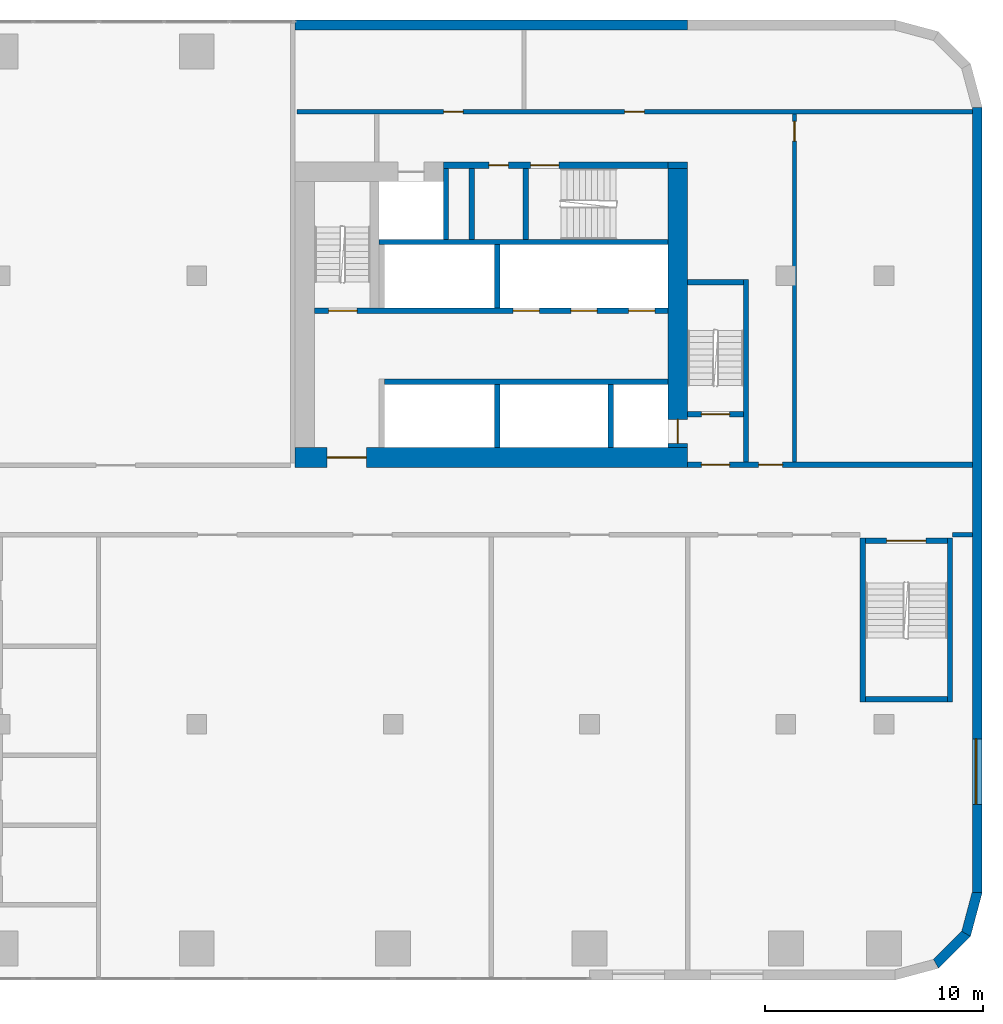
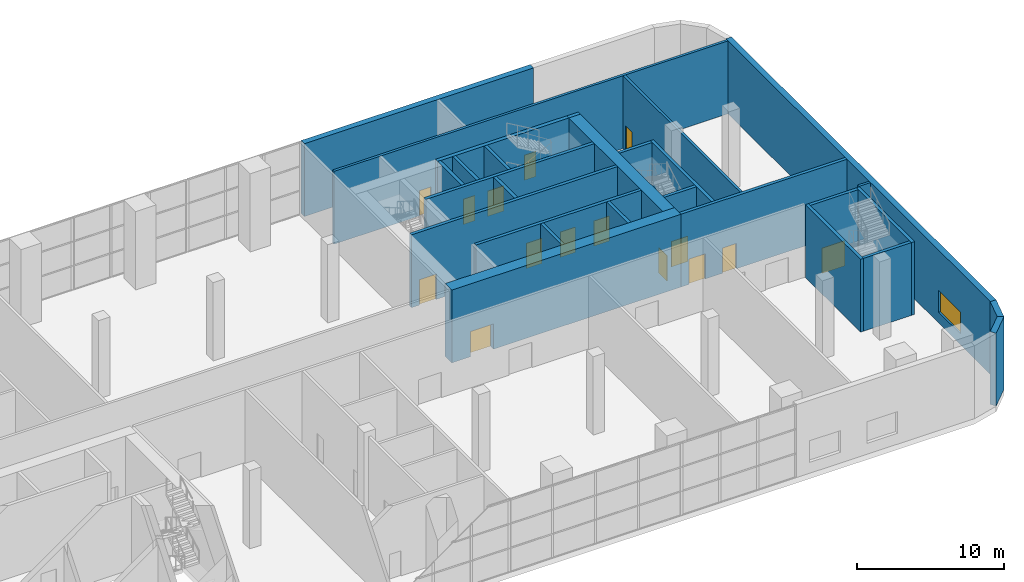
# One storey, part 12 of 24: 28 walls, 15 doors, 1 window, 16 openings.
"""IFC4 building model written with IfcOpenShell, lengths in metres."""

import ifcopenshell
import ifcopenshell.guid

model = None  # the IFC model being written
_history = None  # IfcOwnerHistory: only IFC2X3 demands one
_inside = {}  # id of a spatial element -> (the spatial element, [elements in it])
_under = {}  # id of a project, library or spatial element -> (it, [spatial elements below it])
_declared = {}  # id of a project -> (the project, [libraries it declares])
_typed = {}  # id of a type object -> (the type object, [elements of that type])
_made_of = {}  # id of a material, layer set ... -> (it, [elements and type objects made of it])


def new_model(schema):
    """Start an empty IFC model of exactly this schema.

    Asked for "IFC4X3", IfcOpenShell would pick the latest addendum, in which some entities
    have other attributes; the version numbers below select the first issue.
    IFC2X3 requires an IfcOwnerHistory on every rooted entity: one is made here for all.
    """
    global model, _history
    if schema == "IFC4X3":
        model = ifcopenshell.file(schema_version=(4, 3, 0, 0))
    else:
        model = ifcopenshell.file(schema=schema)
    _inside.clear()
    _under.clear()
    _declared.clear()
    _typed.clear()
    _made_of.clear()
    _history = None
    if model.schema == "IFC2X3":
        org = make("IfcOrganization", Name="unknown")
        user = make(
            "IfcPersonAndOrganization",
            ThePerson=make("IfcPerson", FamilyName="unknown"),
            TheOrganization=org,
        )
        app = make(
            "IfcApplication",
            ApplicationDeveloper=org,
            Version="unknown",
            ApplicationFullName="unknown",
            ApplicationIdentifier="unknown",
        )
        _history = make(
            "IfcOwnerHistory",
            OwningUser=user,
            OwningApplication=app,
            ChangeAction="ADDED",
            CreationDate=0,
        )
    return model


def make(cls, **values):
    """One entity of the class cls with the attributes given. An attribute that is None is left unset."""
    return model.create_entity(
        cls, **{name: value for name, value in values.items() if value is not None}
    )


def rooted(cls, **values):
    """An entity with a GlobalId (a new one), such as an element, a storey or a relation."""
    return make(cls, GlobalId=ifcopenshell.guid.new(), OwnerHistory=_history, **values)


def si_unit(unit_type, name, prefix=None):
    """IfcSIUnit, for example si_unit("LENGTHUNIT", "METRE", prefix="MILLI")."""
    return make("IfcSIUnit", UnitType=unit_type, Prefix=prefix, Name=name)


def assignment(units):
    """IfcUnitAssignment: the units of a project."""
    return None if units is None else make("IfcUnitAssignment", Units=units)


def point(xyz):
    """IfcCartesianPoint."""
    return None if xyz is None else make("IfcCartesianPoint", Coordinates=xyz)


def direction(xyz):
    """IfcDirection."""
    return None if xyz is None else make("IfcDirection", DirectionRatios=xyz)


def frame(location, z_axis=None, x_axis=None):
    """IfcAxis2Placement3D, a coordinate frame: its origin and axes. An axis left out is left unset."""
    return make(
        "IfcAxis2Placement3D",
        Location=point(location),
        Axis=direction(z_axis),
        RefDirection=direction(x_axis),
    )


def frame_2d(location, x_axis=None):
    """IfcAxis2Placement2D, a coordinate frame in the plane: its origin and x axis."""
    return make(
        "IfcAxis2Placement2D", Location=point(location), RefDirection=direction(x_axis)
    )


def origin():
    """The frame at (0, 0, 0) with its axes left unset."""
    return frame((0.0, 0.0, 0.0))


def place(relative_to, where):
    """IfcLocalPlacement: puts the frame where relative to a parent placement (None: the world)."""
    return make(
        "IfcLocalPlacement", PlacementRelTo=relative_to, RelativePlacement=where
    )


def context(
    kind, dimensions, precision=None, world=None, true_north=None, identifier=None
):
    """IfcGeometricRepresentationContext, for example the 3D "Model" context."""
    return make(
        "IfcGeometricRepresentationContext",
        ContextIdentifier=identifier,
        ContextType=kind,
        CoordinateSpaceDimension=dimensions,
        Precision=precision,
        WorldCoordinateSystem=world,
        TrueNorth=true_north,
    )


def subcontext(parent, identifier, kind, view, scale=None):
    """IfcGeometricRepresentationSubContext, for example "Body" below "Model"."""
    return make(
        "IfcGeometricRepresentationSubContext",
        ContextIdentifier=identifier,
        ContextType=kind,
        ParentContext=parent,
        TargetScale=scale,
        TargetView=view,
    )


def project(units=None, contexts=None):
    """IfcProject with its units and contexts."""
    return rooted(
        "IfcProject",
        Name="project",
        RepresentationContexts=contexts,
        UnitsInContext=assignment(units),
    )


def spatial(cls, under=None, at=None, **own):
    """A site, building, storey or space (cls), placed at a placement, below another one or the project."""
    s = rooted(cls, ObjectPlacement=at, **own)
    if under is not None:
        _under.setdefault(under.id(), (under, []))[1].append(s)
    return s


def polyline(points):
    """IfcPolyline through the points."""
    return make("IfcPolyline", Points=[point(p) for p in points])


def profile(cls, at=None, kind="AREA", **sizes):
    """A parametric profile (cls). Its sizes go by their IFC names, for example OverallWidth=200.0."""
    return make(cls, ProfileType=kind, Position=at, **sizes)


def rectangle(**sizes):
    """IfcRectangleProfileDef."""
    return profile("IfcRectangleProfileDef", **sizes)


def outline(outer, holes=None, kind="AREA"):
    """IfcArbitraryClosedProfileDef: a profile drawn as a closed curve; with holes, ...WithVoids."""
    if holes is None:
        return make("IfcArbitraryClosedProfileDef", ProfileType=kind, OuterCurve=outer)
    return make(
        "IfcArbitraryProfileDefWithVoids",
        ProfileType=kind,
        OuterCurve=outer,
        InnerCurves=holes,
    )


def extrude(swept, where, along, depth):
    """IfcExtrudedAreaSolid: the profile swept, set in the frame where, extruded along a direction by depth."""
    return make(
        "IfcExtrudedAreaSolid",
        SweptArea=swept,
        Position=where,
        ExtrudedDirection=direction(along),
        Depth=depth,
    )


def shape(context_of_items, identifier, shape_type, items):
    """IfcShapeRepresentation: the items that make up one representation, for example the "Body"."""
    return make(
        "IfcShapeRepresentation",
        ContextOfItems=context_of_items,
        RepresentationIdentifier=identifier,
        RepresentationType=shape_type,
        Items=items,
    )


def material(Name=None, Category=None):
    """IfcMaterial."""
    return make("IfcMaterial", Name=Name, Category=Category)


def layer(
    of_material, thickness, ventilated=None, Name=None, Category=None, Priority=None
):
    """IfcMaterialLayer: one layer of a wall or slab, of a material (None: an air gap)."""
    return make(
        "IfcMaterialLayer",
        Material=of_material,
        LayerThickness=thickness,
        IsVentilated=ventilated,
        Name=Name,
        Category=Category,
        Priority=Priority,
    )


def layer_set(layers, Name=None):
    """IfcMaterialLayerSet."""
    return make("IfcMaterialLayerSet", MaterialLayers=layers, LayerSetName=Name)


def made_of(thing, what):
    """Note that an element or type object is made of a material, layer set ...; save() writes the relation."""
    if what is not None:
        _made_of.setdefault(what.id(), (what, []))[1].append(thing)
    return thing


def type_object(cls, material=None, **own):
    """A type object (cls), such as IfcWallType, which elements share."""
    return made_of(rooted(cls, **own), material)


def element(
    cls,
    number,
    at=None,
    inside=None,
    cuts=None,
    type_object=None,
    material=None,
    context=None,
    identifier="Body",
    shape_type=None,
    held_by="IfcProductDefinitionShape",
    body=None,
    shapes=None,
    **own,
):
    """One element of the class cls, such as IfcWall. Its Tag is "e" and its number.

    at: its placement. inside: the storey or other place that contains it. cuts: it is an
    opening in that element (IfcRelVoidsElement). A single representation is given by context,
    identifier, shape_type and body (its items); several are given by shapes. held_by: the class
    of the entity that holds the representations. save() writes the other relations.
    """
    e = rooted(cls, Tag="e%d" % number, ObjectPlacement=at, **own)
    if body is not None:
        shapes = [shape(context, identifier, shape_type, body)]
    if shapes is not None:
        e.Representation = make(held_by, Representations=shapes)
    if inside is not None:
        _inside.setdefault(inside.id(), (inside, []))[1].append(e)
    if cuts is not None:
        rooted(
            "IfcRelVoidsElement", RelatingBuildingElement=cuts, RelatedOpeningElement=e
        )
    if type_object is not None:
        _typed.setdefault(type_object.id(), (type_object, []))[1].append(e)
    return made_of(e, material)


def fill(opening, filler):
    """IfcRelFillsElement: the door or window that sits in an opening."""
    return rooted(
        "IfcRelFillsElement",
        RelatingOpeningElement=opening,
        RelatedBuildingElement=filler,
    )


def aggregate(whole, parts):
    """IfcRelAggregates: a whole, such as a stair, and the parts it consists of."""
    return rooted("IfcRelAggregates", RelatingObject=whole, RelatedObjects=parts)


def save(model, path):
    """Write the relations noted so far, then the file.

    IfcRelAggregates (storeys below a building ...), IfcRelContainedInSpatialStructure (elements
    in a storey), IfcRelDefinesByType, IfcRelAssociatesMaterial and IfcRelDeclares: one each for
    every whole, place, type object, material and project.
    """
    for whole, parts in _under.values():
        aggregate(whole, parts)
    for where, things in _inside.values():
        rooted(
            "IfcRelContainedInSpatialStructure",
            RelatedElements=things,
            RelatingStructure=where,
        )
    for kind, things in _typed.values():
        rooted("IfcRelDefinesByType", RelatedObjects=things, RelatingType=kind)
    for what, things in _made_of.values():
        rooted("IfcRelAssociatesMaterial", RelatedObjects=things, RelatingMaterial=what)
    for by, libraries in _declared.values():
        rooted("IfcRelDeclares", RelatingContext=by, RelatedDefinitions=libraries)
    model.write(path)


model = new_model("IFC4")

# Units and contexts
model_context = context("Model", 3, precision=1e-05, world=origin(), true_north=direction((0.0, 1.0)))
body_context = subcontext(model_context, "Body", "Model", "MODEL_VIEW")
ifc_project = project(units=[si_unit("LENGTHUNIT", "METRE"), si_unit("AREAUNIT", "SQUARE_METRE"), si_unit("VOLUMEUNIT", "CUBIC_METRE"), si_unit("PLANEANGLEUNIT", "RADIAN"), si_unit("MASSUNIT", "GRAM", prefix="KILO")], contexts=[model_context])

# Site, building, storey
site_placement = place(None, origin())
site = spatial("IfcSite", under=ifc_project, at=site_placement, CompositionType="ELEMENT")
building_placement = place(site_placement, origin())
building = spatial("IfcBuilding", under=site, at=building_placement, Name="Kajstack Hotel Tower", CompositionType="ELEMENT")
storey_placement = place(building_placement, frame((0.0, 0.0, 17.0)))
storey = spatial("IfcBuildingStorey", under=building, at=storey_placement, Name="L02", CompositionType="ELEMENT", Elevation=17.0)

# Wall, opening, door
ifc_material_1 = material(Name="Concrete C60/75", Category="concrete")
ifc_layer_1 = layer(ifc_material_1, 0.89990234375)
ifc_layer_set_1 = layer_set([ifc_layer_1], Name="Core wall 900")
wall_type_1 = type_object("IfcWallType", Name="Core wall 900", PredefinedType="SHEAR", material=ifc_layer_set_1)
wall_1_placement = place(storey_placement, frame((13.5, 1.949951171875, 0.0), z_axis=(0.0, 0.0, 1.0), x_axis=(1.0, 0.0, 0.0)))
wall_1 = element("IfcWall", 1, at=wall_1_placement, inside=storey, type_object=wall_type_1, Name="Core wall E RN", PredefinedType="SHEAR", context=body_context, shape_type="SweptSolid", body=[
    extrude(rectangle(XDim=18.0, YDim=0.89990234375, at=frame_2d((9.0, 0.0))), origin(), (0.0, 0.0, 1.0), 6.050048828125),
])
opening_1_placement = place(wall_1_placement, frame((1.47509765625, 0.0, 0.0)))
opening_1 = element("IfcOpeningElement", 2, at=opening_1_placement, cuts=wall_1, Name="Opening 02E06", PredefinedType="OPENING", context=body_context, shape_type="SweptSolid", body=[
    extrude(rectangle(XDim=1.800048828125, YDim=2.10009765625, at=frame_2d((0.89990234375, 1.050048828125))), frame((0.0, 0.4599609375, 0.0), z_axis=(0.0, -1.0, 0.0), x_axis=(1.0, 0.0, 0.0)), (0.0, 0.0, 1.0), 0.919921875),
])
ifc_material_2 = material(Name="Glazed steel frame, fire-rated glass", Category="steel")
door_type_1 = type_object("IfcDoorType", Name="Lobby double door 1800", OperationType="DOUBLE_DOOR_DOUBLE_SWING", PredefinedType="DOOR", material=ifc_material_2)
door_1_placement = place(opening_1_placement, origin())
door_1 = element("IfcDoor", 3, at=door_1_placement, inside=storey, type_object=door_type_1, Name="Door 02E06", OperationType="DOUBLE_DOOR_DOUBLE_SWING", OverallHeight=2.10009765625, OverallWidth=1.800048828125, PredefinedType="DOOR", context=body_context, shape_type="SweptSolid", body=[
    extrude(rectangle(XDim=1.800048828125, YDim=2.10009765625, at=frame_2d((0.89990234375, 1.050048828125))), frame((0.0, 0.02490234375, 0.0), z_axis=(0.0, -1.0, 0.0), x_axis=(1.0, 0.0, 0.0)), (0.0, 0.0, 1.0), 0.050048828125),
])
fill(opening_1, door_1)

# Wall
wall_2_placement = place(storey_placement, frame((30.60009765625, 15.35009765625, 0.0), z_axis=(0.0, 0.0, 1.0), x_axis=(1.0, 0.0, 0.0)))
element("IfcWall", 4, at=wall_2_placement, inside=storey, type_object=wall_type_1, Name="Core wall E RSW", PredefinedType="SHEAR", context=body_context, shape_type="SweptSolid", body=[
    extrude(rectangle(XDim=0.89990234375, YDim=0.300048828125, at=frame_2d((0.449951171875, 0.0))), origin(), (0.0, 0.0, 1.0), 6.050048828125),
])

# Wall, opening, door
wall_3_placement = place(storey_placement, frame((31.050048828125, 2.39990234375, 0.0), z_axis=(0.0, 0.0, 1.0), x_axis=(0.0, 1.0, 0.0)))
wall_3 = element("IfcWall", 5, at=wall_3_placement, inside=storey, type_object=wall_type_1, Name="Core wall E RW", PredefinedType="SHEAR", context=body_context, shape_type="SweptSolid", body=[
    extrude(rectangle(XDim=12.800048828125, YDim=0.89990234375, at=frame_2d((6.39990234375, 0.0))), origin(), (0.0, 0.0, 1.0), 6.050048828125),
])
opening_2_placement = place(wall_3_placement, frame((0.199951171875, 0.0, 0.0)))
opening_2 = element("IfcOpeningElement", 6, at=opening_2_placement, cuts=wall_3, Name="Opening LD-FF2", PredefinedType="OPENING", context=body_context, shape_type="SweptSolid", body=[
    extrude(rectangle(XDim=1.10009765625, YDim=2.10009765625, at=frame_2d((0.550048828125, 1.050048828125))), frame((0.0, 0.4599609375, 0.0), z_axis=(0.0, -1.0, 0.0), x_axis=(1.0, 0.0, 0.0)), (0.0, 0.0, 1.0), 0.919921875),
])
ifc_material_3 = material(Name="Stainless steel", Category="steel")
door_type_2 = type_object("IfcDoorType", Name="Fire-fighting lift landing door 1100", OperationType="SLIDING_TO_LEFT", PredefinedType="DOOR", material=ifc_material_3)
door_2_placement = place(opening_2_placement, origin())
door_2 = element("IfcDoor", 7, at=door_2_placement, inside=storey, type_object=door_type_2, Name="Landing door FF2", OperationType="SLIDING_TO_LEFT", OverallHeight=2.10009765625, OverallWidth=1.10009765625, PredefinedType="DOOR", context=body_context, shape_type="SweptSolid", body=[
    extrude(rectangle(XDim=1.10009765625, YDim=2.10009765625, at=frame_2d((0.550048828125, 1.050048828125))), frame((0.0, 0.02490234375, 0.0), z_axis=(0.0, -1.0, 0.0), x_axis=(1.0, 0.0, 0.0)), (0.0, 0.0, 1.0), 0.050048828125),
])
fill(opening_2, door_2)

# Walls
ifc_material_4 = material(Name="Concrete C40/50", Category="concrete")
ifc_layer_2 = layer(ifc_material_4, 0.449951171875)
ifc_layer_set_2 = layer_set([ifc_layer_2], Name="EW-CORE")
wall_type_2 = type_object("IfcWallType", Name="EW-CORE", PredefinedType="SOLIDWALL", material=ifc_layer_set_2)
wall_4_placement = place(storey_placement, frame((31.5, 21.77490234375, 0.0), z_axis=(0.0, 0.0, 1.0), x_axis=(-1.0, 0.0, 0.0)))
element("IfcWall", 8, at=wall_4_placement, inside=storey, type_object=wall_type_2, Name="E-wall-L02-11-01", PredefinedType="SOLIDWALL", context=body_context, shape_type="SweptSolid", body=[
    extrude(rectangle(XDim=18.0, YDim=0.449951171875, at=frame_2d((9.0, 0.0))), origin(), (0.0, 0.0, 1.0), 6.050048828125),
])
ifc_material_5 = material(Name="Terracotta-faced brick masonry", Category="masonry")
ifc_layer_3 = layer(ifc_material_5, 0.449951171875)
ifc_layer_set_3 = layer_set([ifc_layer_3], Name="EW-TERRA")
wall_type_3 = type_object("IfcWallType", Name="EW-TERRA", PredefinedType="SOLIDWALL", material=ifc_layer_set_3)
wall_5_placement = place(storey_placement, frame((42.8408203125, -21.304931640625, 0.0), z_axis=(0.0, 0.0, 1.0), x_axis=(0.707106781187, 0.707106781187, 0.0)))
element("IfcWall", 9, at=wall_5_placement, inside=storey, type_object=wall_type_3, Name="E-wall-L02-05-00", PredefinedType="SOLIDWALL", context=body_context, shape_type="SweptSolid", body=[
    extrude(outline(polyline([(0.0, -0.22509765625), (2.070556640625, -0.22509765625), (1.949951171875, 0.224853515625), (0.12060546875, 0.224853515625), (0.0, -0.22509765625)])), origin(), (0.0, 0.0, 1.0), 6.050048828125),
])
wall_6_placement = place(storey_placement, frame((44.246826171875, -19.941650390625, 0.0), z_axis=(0.0, 0.0, 1.0), x_axis=(0.25881466832, 0.965926999034, 0.0)))
element("IfcWall", 10, at=wall_6_placement, inside=storey, type_object=wall_type_3, Name="E-wall-L02-06-00", PredefinedType="SOLIDWALL", context=body_context, shape_type="SweptSolid", body=[
    extrude(outline(polyline([(-0.000244140625, -0.224853515625), (2.0703125, -0.22509765625), (1.949951171875, 0.22509765625), (0.120361328125, 0.22509765625), (-0.000244140625, -0.224853515625)])), origin(), (0.0, 0.0, 1.0), 6.050048828125),
])

# Wall, opening, window
wall_7_placement = place(storey_placement, frame((44.77490234375, -18.0, 0.0), z_axis=(0.0, 0.0, 1.0), x_axis=(0.0, 1.0, 0.0)))
wall_7 = element("IfcWall", 11, at=wall_7_placement, inside=storey, type_object=wall_type_3, Name="E-wall-L02-07-00", PredefinedType="SOLIDWALL", context=body_context, shape_type="SweptSolid", body=[
    extrude(rectangle(XDim=36.0, YDim=0.449951171875, at=frame_2d((18.0, 0.0))), origin(), (0.0, 0.0, 1.0), 6.050048828125),
])
opening_3_placement = place(wall_7_placement, frame((4.050048828125, 0.0, 0.89990234375)))
opening_3 = element("IfcOpeningElement", 12, at=opening_3_placement, cuts=wall_7, Name="Opening W5", PredefinedType="OPENING", context=body_context, shape_type="SweptSolid", body=[
    extrude(rectangle(XDim=3.0, YDim=1.800048828125, at=frame_2d((1.5, 0.89990234375))), frame((0.0, 0.23486328125, 0.0), z_axis=(0.0, -1.0, 0.0), x_axis=(1.0, 0.0, 0.0)), (0.0, 0.0, 1.0), 0.469970703125),
])
ifc_material_6 = material(Name="Timber-aluminium window, triple glazed", Category="wood")
window_type = type_object("IfcWindowType", Name="WP2", PartitioningType="SINGLE_PANEL", PredefinedType="WINDOW", material=ifc_material_6)
window_placement = place(opening_3_placement, origin())
window = element("IfcWindow", 13, at=window_placement, inside=storey, type_object=window_type, Name="Window W5 L02-07", OverallHeight=1.800048828125, OverallWidth=3.0, PartitioningType="SINGLE_PANEL", PredefinedType="WINDOW", context=body_context, shape_type="SweptSolid", body=[
    extrude(rectangle(XDim=3.0, YDim=1.800048828125, at=frame_2d((1.5, 0.89990234375))), frame((0.0, 0.090087890625, 0.0), z_axis=(0.0, -1.0, 0.0), x_axis=(1.0, 0.0, 0.0)), (0.0, 0.0, 1.0), 0.06005859375),
])
fill(opening_3, window)

# Walls
ifc_material_7 = material(Name="Concrete C50/60", Category="concrete")
ifc_layer_4 = layer(ifc_material_7, 0.300048828125)
ifc_layer_set_4 = layer_set([ifc_layer_4], Name="Hoistway divider wall 300")
wall_type_4 = type_object("IfcWallType", Name="Hoistway divider wall 300", PredefinedType="SHEAR", material=ifc_layer_set_4)
wall_8_placement = place(storey_placement, frame((22.77490234375, 2.39990234375, 0.0), z_axis=(0.0, 0.0, 1.0), x_axis=(0.0, 1.0, 0.0)))
element("IfcWall", 14, at=wall_8_placement, inside=storey, type_object=wall_type_4, Name="Core wall E AP2", PredefinedType="SHEAR", context=body_context, shape_type="SweptSolid", body=[
    extrude(rectangle(XDim=2.900146484375, YDim=0.25, at=frame_2d((1.4501953125, 0.0))), origin(), (0.0, 0.0, 1.0), 6.050048828125),
])
wall_9_placement = place(storey_placement, frame((22.77490234375, 8.800048828125, 0.0), z_axis=(0.0, 0.0, 1.0), x_axis=(0.0, 1.0, 0.0)))
element("IfcWall", 15, at=wall_9_placement, inside=storey, type_object=wall_type_4, Name="Core wall E BP2", PredefinedType="SHEAR", context=body_context, shape_type="SweptSolid", body=[
    extrude(rectangle(XDim=2.89990234375, YDim=0.25, at=frame_2d((1.449951171875, 0.0))), origin(), (0.0, 0.0, 1.0), 6.050048828125),
])
ifc_material_8 = material(Name="Gypsum board on steel studs, mineral wool", Category="steel")
ifc_layer_5 = layer(ifc_material_8, 0.199951171875)
ifc_layer_set_5 = layer_set([ifc_layer_5], Name="Public partition 200")
wall_type_5 = type_object("IfcWallType", Name="Public partition 200", PredefinedType="PARTITIONING", material=ifc_layer_set_5)
wall_10_placement = place(storey_placement, frame((43.64990234375, -1.60009765625, 0.0), z_axis=(0.0, 0.0, 1.0), x_axis=(1.0, 0.0, 0.0)))
element("IfcWall", 16, at=wall_10_placement, inside=storey, type_object=wall_type_5, Name="Partition SFWW", PredefinedType="PARTITIONING", context=body_context, shape_type="SweptSolid", body=[
    extrude(rectangle(XDim=0.900146484375, YDim=0.199951171875, at=frame_2d((0.4501953125, 0.0))), origin(), (0.0, 0.0, 1.0), 6.050048828125),
])
ifc_material_9 = material(Name="Concrete block masonry", Category="masonry")
ifc_layer_6 = layer(ifc_material_9, 0.25)
ifc_layer_set_6 = layer_set([ifc_layer_6], Name="Riser partition 250")
wall_type_6 = type_object("IfcWallType", Name="Riser partition 250", PredefinedType="PARTITIONING", material=ifc_layer_set_6)
wall_11_placement = place(storey_placement, frame((21.60009765625, 11.949951171875, 0.0), z_axis=(0.0, 0.0, 1.0), x_axis=(0.0, 1.0, 0.0)))
element("IfcWall", 17, at=wall_11_placement, inside=storey, type_object=wall_type_6, Name="Partition E SZ0", PredefinedType="PARTITIONING", context=body_context, shape_type="SweptSolid", body=[
    extrude(rectangle(XDim=3.25, YDim=0.25, at=frame_2d((1.625, 0.0))), origin(), (0.0, 0.0, 1.0), 6.050048828125),
])

# Wall, openings, doors
ifc_layer_7 = layer(ifc_material_8, 0.199951171875)
ifc_layer_set_7 = layer_set([ifc_layer_7], Name="Service partition 200")
wall_type_7 = type_object("IfcWallType", Name="Service partition 200", PredefinedType="PARTITIONING", material=ifc_layer_set_7)
wall_12_placement = place(storey_placement, frame((31.5, 1.625, 0.0), z_axis=(0.0, 0.0, 1.0), x_axis=(1.0, 0.0, 0.0)))
wall_12 = element("IfcWall", 18, at=wall_12_placement, inside=storey, type_object=wall_type_7, Name="Partition E SN", PredefinedType="PARTITIONING", context=body_context, shape_type="SweptSolid", body=[
    extrude(rectangle(XDim=13.050048828125, YDim=0.25, at=frame_2d((6.52490234375, 0.0))), origin(), (0.0, 0.0, 1.0), 6.050048828125),
])
opening_4_placement = place(wall_12_placement, frame((0.625, 0.0, 0.0)))
opening_4 = element("IfcOpeningElement", 19, at=opening_4_placement, cuts=wall_12, Name="Opening 02E07", PredefinedType="OPENING", context=body_context, shape_type="SweptSolid", body=[
    extrude(rectangle(XDim=1.300048828125, YDim=2.10009765625, at=frame_2d((0.64990234375, 1.050048828125))), frame((0.0, 0.135009765625, 0.0), z_axis=(0.0, -1.0, 0.0), x_axis=(1.0, 0.0, 0.0)), (0.0, 0.0, 1.0), 0.27001953125),
])
opening_5_placement = place(wall_12_placement, frame((3.25, 0.0, 0.0)))
opening_5 = element("IfcOpeningElement", 20, at=opening_5_placement, cuts=wall_12, Name="Opening 02E09", PredefinedType="OPENING", context=body_context, shape_type="SweptSolid", body=[
    extrude(rectangle(XDim=1.10009765625, YDim=2.10009765625, at=frame_2d((0.550048828125, 1.050048828125))), frame((0.0, 0.135009765625, 0.0), z_axis=(0.0, -1.0, 0.0), x_axis=(1.0, 0.0, 0.0)), (0.0, 0.0, 1.0), 0.27001953125),
])
ifc_material_10 = material(Name="Steel leaf, fire-rated", Category="steel")
door_type_3 = type_object("IfcDoorType", Name="Fire lobby door 1300", OperationType="SINGLE_SWING_LEFT", PredefinedType="DOOR", material=ifc_material_10)
door_3_placement = place(opening_4_placement, origin())
door_3 = element("IfcDoor", 21, at=door_3_placement, inside=storey, type_object=door_type_3, Name="Door 02E07", OperationType="SINGLE_SWING_LEFT", OverallHeight=2.10009765625, OverallWidth=1.300048828125, PredefinedType="DOOR", context=body_context, shape_type="SweptSolid", body=[
    extrude(rectangle(XDim=1.300048828125, YDim=2.10009765625, at=frame_2d((0.64990234375, 1.050048828125))), frame((0.0, 0.02490234375, 0.0), z_axis=(0.0, -1.0, 0.0), x_axis=(1.0, 0.0, 0.0)), (0.0, 0.0, 1.0), 0.050048828125),
])
fill(opening_4, door_3)
ifc_material_11 = material(Name="Timber leaf, fire-rated", Category="wood")
door_type_4 = type_object("IfcDoorType", Name="Service corridor door 1100", OperationType="SINGLE_SWING_LEFT", PredefinedType="DOOR", material=ifc_material_11)
door_4_placement = place(opening_5_placement, origin())
door_4 = element("IfcDoor", 22, at=door_4_placement, inside=storey, type_object=door_type_4, Name="Door 02E09", OperationType="SINGLE_SWING_LEFT", OverallHeight=2.10009765625, OverallWidth=1.10009765625, PredefinedType="DOOR", context=body_context, shape_type="SweptSolid", body=[
    extrude(rectangle(XDim=1.10009765625, YDim=2.10009765625, at=frame_2d((0.550048828125, 1.050048828125))), frame((0.0, 0.02490234375, 0.0), z_axis=(0.0, -1.0, 0.0), x_axis=(1.0, 0.0, 0.0)), (0.0, 0.0, 1.0), 0.050048828125),
])
fill(opening_5, door_4)

# Wall, opening, door
wall_13_placement = place(storey_placement, frame((36.39990234375, 1.75, 0.0), z_axis=(0.0, 0.0, 1.0), x_axis=(0.0, 1.0, 0.0)))
wall_13 = element("IfcWall", 23, at=wall_13_placement, inside=storey, type_object=wall_type_7, Name="Partition E WRE", PredefinedType="PARTITIONING", context=body_context, shape_type="SweptSolid", body=[
    extrude(rectangle(XDim=15.949951171875, YDim=0.199951171875, at=frame_2d((7.97509765625, 0.0))), origin(), (0.0, 0.0, 1.0), 6.050048828125),
])
opening_6_placement = place(wall_13_placement, frame((14.699951171875, 0.0, 0.0)))
opening_6 = element("IfcOpeningElement", 24, at=opening_6_placement, cuts=wall_13, Name="Opening 02E15", PredefinedType="OPENING", context=body_context, shape_type="SweptSolid", body=[
    extrude(rectangle(XDim=0.89990234375, YDim=2.10009765625, at=frame_2d((0.449951171875, 1.050048828125))), frame((0.0, 0.10986328125, 0.0), z_axis=(0.0, -1.0, 0.0), x_axis=(1.0, 0.0, 0.0)), (0.0, 0.0, 1.0), 0.219970703125),
])
door_type_5 = type_object("IfcDoorType", Name="Service door 900", OperationType="SINGLE_SWING_LEFT", PredefinedType="DOOR", material=ifc_material_11)
door_5_placement = place(opening_6_placement, origin())
door_5 = element("IfcDoor", 25, at=door_5_placement, inside=storey, type_object=door_type_5, Name="Door 02E15", OperationType="SINGLE_SWING_RIGHT", OverallHeight=2.10009765625, OverallWidth=0.89990234375, PredefinedType="DOOR", context=body_context, shape_type="SweptSolid", body=[
    extrude(rectangle(XDim=0.89990234375, YDim=2.10009765625, at=frame_2d((0.449951171875, 1.050048828125))), frame((0.0, 0.02490234375, 0.0), z_axis=(0.0, -1.0, 0.0), x_axis=(1.0, 0.0, 0.0)), (0.0, 0.0, 1.0), 0.050048828125),
])
fill(opening_6, door_5)

# Wall, openings, doors
wall_14_placement = place(storey_placement, frame((13.60009765625, 17.800048828125, 0.0), z_axis=(0.0, 0.0, 1.0), x_axis=(1.0, 0.0, 0.0)))
wall_14 = element("IfcWall", 26, at=wall_14_placement, inside=storey, type_object=wall_type_7, Name="Partition E SLN", PredefinedType="PARTITIONING", context=body_context, shape_type="SweptSolid", body=[
    extrude(rectangle(XDim=30.949951171875, YDim=0.199951171875, at=frame_2d((15.47509765625, 0.0))), origin(), (0.0, 0.0, 1.0), 6.050048828125),
])
opening_7_placement = place(wall_14_placement, frame((15.012451171875, 0.0, 0.0)))
opening_7 = element("IfcOpeningElement", 27, at=opening_7_placement, cuts=wall_14, Name="Opening 02E13", PredefinedType="OPENING", context=body_context, shape_type="SweptSolid", body=[
    extrude(rectangle(XDim=0.89990234375, YDim=2.10009765625, at=frame_2d((0.449951171875, 1.050048828125))), frame((0.0, 0.10986328125, 0.0), z_axis=(0.0, -1.0, 0.0), x_axis=(1.0, 0.0, 0.0)), (0.0, 0.0, 1.0), 0.219970703125),
])
opening_8_placement = place(wall_14_placement, frame((6.71240234375, 0.0, 0.0)))
opening_8 = element("IfcOpeningElement", 28, at=opening_8_placement, cuts=wall_14, Name="Opening 02E14", PredefinedType="OPENING", context=body_context, shape_type="SweptSolid", body=[
    extrude(rectangle(XDim=0.89990234375, YDim=2.10009765625, at=frame_2d((0.449951171875, 1.050048828125))), frame((0.0, 0.10986328125, 0.0), z_axis=(0.0, -1.0, 0.0), x_axis=(1.0, 0.0, 0.0)), (0.0, 0.0, 1.0), 0.219970703125),
])
door_6_placement = place(opening_7_placement, origin())
door_6 = element("IfcDoor", 29, at=door_6_placement, inside=storey, type_object=door_type_5, Name="Door 02E13", OperationType="SINGLE_SWING_LEFT", OverallHeight=2.10009765625, OverallWidth=0.89990234375, PredefinedType="DOOR", context=body_context, shape_type="SweptSolid", body=[
    extrude(rectangle(XDim=0.89990234375, YDim=2.10009765625, at=frame_2d((0.449951171875, 1.050048828125))), frame((0.0, 0.02490234375, 0.0), z_axis=(0.0, -1.0, 0.0), x_axis=(1.0, 0.0, 0.0)), (0.0, 0.0, 1.0), 0.050048828125),
])
fill(opening_7, door_6)
door_7_placement = place(opening_8_placement, origin())
door_7 = element("IfcDoor", 30, at=door_7_placement, inside=storey, type_object=door_type_5, Name="Door 02E14", OperationType="SINGLE_SWING_LEFT", OverallHeight=2.10009765625, OverallWidth=0.89990234375, PredefinedType="DOOR", context=body_context, shape_type="SweptSolid", body=[
    extrude(rectangle(XDim=0.89990234375, YDim=2.10009765625, at=frame_2d((0.449951171875, 1.050048828125))), frame((0.0, 0.02490234375, 0.0), z_axis=(0.0, -1.0, 0.0), x_axis=(1.0, 0.0, 0.0)), (0.0, 0.0, 1.0), 0.050048828125),
])
fill(opening_8, door_7)

ifc_layer_8 = layer(ifc_material_7, 0.25)
ifc_layer_set_8 = layer_set([ifc_layer_8], Name="Shaft wall 250")
wall_type_8 = type_object("IfcWallType", Name="Shaft wall 250", PredefinedType="SHEAR", material=ifc_layer_set_8)
wall_15_placement = place(storey_placement, frame((20.300048828125, 15.35009765625, 0.0), z_axis=(0.0, 0.0, 1.0), x_axis=(1.0, 0.0, 0.0)))
wall_15 = element("IfcWall", 31, at=wall_15_placement, inside=storey, type_object=wall_type_8, Name="Core wall E RSS", PredefinedType="SHEAR", context=body_context, shape_type="SweptSolid", body=[
    extrude(rectangle(XDim=10.300048828125, YDim=0.300048828125, at=frame_2d((5.14990234375, 0.0))), origin(), (0.0, 0.0, 1.0), 6.050048828125),
])
opening_9_placement = place(wall_15_placement, frame((4.0, 0.0, 0.0)))
opening_9 = element("IfcOpeningElement", 32, at=opening_9_placement, cuts=wall_15, Name="Opening 02E11", PredefinedType="OPENING", context=body_context, shape_type="SweptSolid", body=[
    extrude(rectangle(XDim=1.300048828125, YDim=2.10009765625, at=frame_2d((0.64990234375, 1.050048828125))), frame((0.0, 0.159912109375, 0.0), z_axis=(0.0, -1.0, 0.0), x_axis=(1.0, 0.0, 0.0)), (0.0, 0.0, 1.0), 0.320068359375),
])
opening_10_placement = place(wall_15_placement, frame((2.08740234375, 0.0, 0.0)))
opening_10 = element("IfcOpeningElement", 33, at=opening_10_placement, cuts=wall_15, Name="Opening 02E12", PredefinedType="OPENING", context=body_context, shape_type="SweptSolid", body=[
    extrude(rectangle(XDim=0.89990234375, YDim=2.10009765625, at=frame_2d((0.449951171875, 1.050048828125))), frame((0.0, 0.159912109375, 0.0), z_axis=(0.0, -1.0, 0.0), x_axis=(1.0, 0.0, 0.0)), (0.0, 0.0, 1.0), 0.320068359375),
])
door_8_placement = place(opening_10_placement, origin())
door_8 = element("IfcDoor", 34, at=door_8_placement, inside=storey, type_object=door_type_5, Name="Door 02E12", OperationType="SINGLE_SWING_RIGHT", OverallHeight=2.10009765625, OverallWidth=0.89990234375, PredefinedType="DOOR", context=body_context, shape_type="SweptSolid", body=[
    extrude(rectangle(XDim=0.89990234375, YDim=2.10009765625, at=frame_2d((0.449951171875, 1.050048828125))), frame((0.0, 0.02490234375, 0.0), z_axis=(0.0, -1.0, 0.0), x_axis=(1.0, 0.0, 0.0)), (0.0, 0.0, 1.0), 0.050048828125),
])
fill(opening_10, door_8)
door_type_6 = type_object("IfcDoorType", Name="Stair door 1300", OperationType="SINGLE_SWING_LEFT", PredefinedType="DOOR", material=ifc_material_10)
door_9_placement = place(opening_9_placement, origin())
door_9 = element("IfcDoor", 35, at=door_9_placement, inside=storey, type_object=door_type_6, Name="Door 02E11", OperationType="SINGLE_SWING_LEFT", OverallHeight=2.10009765625, OverallWidth=1.300048828125, PredefinedType="DOOR", context=body_context, shape_type="SweptSolid", body=[
    extrude(rectangle(XDim=1.300048828125, YDim=2.10009765625, at=frame_2d((0.64990234375, 1.050048828125))), frame((0.0, 0.02490234375, 0.0), z_axis=(0.0, -1.0, 0.0), x_axis=(1.0, 0.0, 0.0)), (0.0, 0.0, 1.0), 0.050048828125),
])
fill(opening_9, door_9)

# Walls
wall_16_placement = place(storey_placement, frame((17.60009765625, 5.425048828125, 0.0), z_axis=(0.0, 0.0, 1.0), x_axis=(1.0, 0.0, 0.0)))
element("IfcWall", 36, at=wall_16_placement, inside=storey, type_object=wall_type_8, Name="Core wall E FA", PredefinedType="SHEAR", context=body_context, shape_type="SweptSolid", body=[
    extrude(rectangle(XDim=13.0, YDim=0.25, at=frame_2d((6.5, 0.0))), origin(), (0.0, 0.0, 1.0), 6.050048828125),
])
wall_17_placement = place(storey_placement, frame((27.97509765625, 2.39990234375, 0.0), z_axis=(0.0, 0.0, 1.0), x_axis=(0.0, 1.0, 0.0)))
element("IfcWall", 37, at=wall_17_placement, inside=storey, type_object=wall_type_8, Name="Core wall E AP0", PredefinedType="SHEAR", context=body_context, shape_type="SweptSolid", body=[
    extrude(rectangle(XDim=2.900146484375, YDim=0.25, at=frame_2d((1.4501953125, 0.0))), origin(), (0.0, 0.0, 1.0), 6.050048828125),
])

# Wall, openings, doors
wall_18_placement = place(storey_placement, frame((14.39990234375, 8.675048828125, 0.0), z_axis=(0.0, 0.0, 1.0), x_axis=(1.0, 0.0, 0.0)))
wall_18 = element("IfcWall", 38, at=wall_18_placement, inside=storey, type_object=wall_type_8, Name="Core wall E FB", PredefinedType="SHEAR", context=body_context, shape_type="SweptSolid", body=[
    extrude(rectangle(XDim=16.2001953125, YDim=0.25, at=frame_2d((8.10009765625, 0.0))), origin(), (0.0, 0.0, 1.0), 6.050048828125),
])
opening_11_placement = place(wall_18_placement, frame((14.39990234375, 0.0, 0.0)))
opening_11 = element("IfcOpeningElement", 39, at=opening_11_placement, cuts=wall_18, Name="Opening LD-LR4", PredefinedType="OPENING", context=body_context, shape_type="SweptSolid", body=[
    extrude(rectangle(XDim=1.199951171875, YDim=2.10009765625, at=frame_2d((0.60009765625, 1.050048828125))), frame((0.0, 0.135009765625, 0.0), z_axis=(0.0, -1.0, 0.0), x_axis=(1.0, 0.0, 0.0)), (0.0, 0.0, 1.0), 0.27001953125),
])
opening_12_placement = place(wall_18_placement, frame((11.75, 0.0, 0.0)))
opening_12 = element("IfcOpeningElement", 40, at=opening_12_placement, cuts=wall_18, Name="Opening LD-LR5", PredefinedType="OPENING", context=body_context, shape_type="SweptSolid", body=[
    extrude(rectangle(XDim=1.199951171875, YDim=2.10009765625, at=frame_2d((0.60009765625, 1.050048828125))), frame((0.0, 0.135009765625, 0.0), z_axis=(0.0, -1.0, 0.0), x_axis=(1.0, 0.0, 0.0)), (0.0, 0.0, 1.0), 0.27001953125),
])
opening_13_placement = place(wall_18_placement, frame((9.10009765625, 0.0, 0.0)))
opening_13 = element("IfcOpeningElement", 41, at=opening_13_placement, cuts=wall_18, Name="Opening LD-LR6", PredefinedType="OPENING", context=body_context, shape_type="SweptSolid", body=[
    extrude(rectangle(XDim=1.199951171875, YDim=2.10009765625, at=frame_2d((0.60009765625, 1.050048828125))), frame((0.0, 0.135009765625, 0.0), z_axis=(0.0, -1.0, 0.0), x_axis=(1.0, 0.0, 0.0)), (0.0, 0.0, 1.0), 0.27001953125),
])
opening_14_placement = place(wall_18_placement, frame((0.64990234375, 0.0, 0.0)))
opening_14 = element("IfcOpeningElement", 42, at=opening_14_placement, cuts=wall_18, Name="Opening 02E10", PredefinedType="OPENING", context=body_context, shape_type="SweptSolid", body=[
    extrude(rectangle(XDim=1.300048828125, YDim=2.10009765625, at=frame_2d((0.64990234375, 1.050048828125))), frame((0.0, 0.135009765625, 0.0), z_axis=(0.0, -1.0, 0.0), x_axis=(1.0, 0.0, 0.0)), (0.0, 0.0, 1.0), 0.27001953125),
])
door_type_7 = type_object("IfcDoorType", Name="Lift landing door 1200", OperationType="SLIDING_TO_LEFT", PredefinedType="DOOR", material=ifc_material_3)
door_10_placement = place(opening_11_placement, origin())
door_10 = element("IfcDoor", 43, at=door_10_placement, inside=storey, type_object=door_type_7, Name="Landing door LR4", OperationType="SLIDING_TO_LEFT", OverallHeight=2.10009765625, OverallWidth=1.199951171875, PredefinedType="DOOR", context=body_context, shape_type="SweptSolid", body=[
    extrude(rectangle(XDim=1.199951171875, YDim=2.10009765625, at=frame_2d((0.60009765625, 1.050048828125))), frame((0.0, 0.02490234375, 0.0), z_axis=(0.0, -1.0, 0.0), x_axis=(1.0, 0.0, 0.0)), (0.0, 0.0, 1.0), 0.050048828125),
])
fill(opening_11, door_10)
door_11_placement = place(opening_12_placement, origin())
door_11 = element("IfcDoor", 44, at=door_11_placement, inside=storey, type_object=door_type_7, Name="Landing door LR5", OperationType="SLIDING_TO_RIGHT", OverallHeight=2.10009765625, OverallWidth=1.199951171875, PredefinedType="DOOR", context=body_context, shape_type="SweptSolid", body=[
    extrude(rectangle(XDim=1.199951171875, YDim=2.10009765625, at=frame_2d((0.60009765625, 1.050048828125))), frame((0.0, 0.02490234375, 0.0), z_axis=(0.0, -1.0, 0.0), x_axis=(1.0, 0.0, 0.0)), (0.0, 0.0, 1.0), 0.050048828125),
])
fill(opening_12, door_11)
door_12_placement = place(opening_13_placement, origin())
door_12 = element("IfcDoor", 45, at=door_12_placement, inside=storey, type_object=door_type_7, Name="Landing door LR6", OperationType="SLIDING_TO_RIGHT", OverallHeight=2.10009765625, OverallWidth=1.199951171875, PredefinedType="DOOR", context=body_context, shape_type="SweptSolid", body=[
    extrude(rectangle(XDim=1.199951171875, YDim=2.10009765625, at=frame_2d((0.60009765625, 1.050048828125))), frame((0.0, 0.02490234375, 0.0), z_axis=(0.0, -1.0, 0.0), x_axis=(1.0, 0.0, 0.0)), (0.0, 0.0, 1.0), 0.050048828125),
])
fill(opening_13, door_12)
door_13_placement = place(opening_14_placement, origin())
door_13 = element("IfcDoor", 46, at=door_13_placement, inside=storey, type_object=door_type_6, Name="Door 02E10", OperationType="SINGLE_SWING_LEFT", OverallHeight=2.10009765625, OverallWidth=1.300048828125, PredefinedType="DOOR", context=body_context, shape_type="SweptSolid", body=[
    extrude(rectangle(XDim=1.300048828125, YDim=2.10009765625, at=frame_2d((0.64990234375, 1.050048828125))), frame((0.0, 0.02490234375, 0.0), z_axis=(0.0, -1.0, 0.0), x_axis=(1.0, 0.0, 0.0)), (0.0, 0.0, 1.0), 0.050048828125),
])
fill(opening_14, door_13)

# Walls
wall_19_placement = place(storey_placement, frame((17.35009765625, 11.824951171875, 0.0), z_axis=(0.0, 0.0, 1.0), x_axis=(1.0, 0.0, 0.0)))
element("IfcWall", 47, at=wall_19_placement, inside=storey, type_object=wall_type_8, Name="Core wall E RB", PredefinedType="SHEAR", context=body_context, shape_type="SweptSolid", body=[
    extrude(rectangle(XDim=13.25, YDim=0.25, at=frame_2d((6.625, 0.0))), origin(), (0.0, 0.0, 1.0), 6.050048828125),
])
wall_20_placement = place(storey_placement, frame((20.425048828125, 11.949951171875, 0.0), z_axis=(0.0, 0.0, 1.0), x_axis=(0.0, 1.0, 0.0)))
element("IfcWall", 48, at=wall_20_placement, inside=storey, type_object=wall_type_8, Name="Core wall E SVW", PredefinedType="SHEAR", context=body_context, shape_type="SweptSolid", body=[
    extrude(rectangle(XDim=3.25, YDim=0.25, at=frame_2d((1.625, 0.0))), origin(), (0.0, 0.0, 1.0), 6.050048828125),
])

# Wall, opening, door
ifc_layer_9 = layer(ifc_material_4, 0.25)
ifc_layer_set_9 = layer_set([ifc_layer_9], Name="Stair enclosure wall 250")
wall_type_9 = type_object("IfcWallType", Name="Stair enclosure wall 250", PredefinedType="SHEAR", material=ifc_layer_set_9)
wall_21_placement = place(storey_placement, frame((31.5, 3.925048828125, 0.0), z_axis=(0.0, 0.0, 1.0), x_axis=(1.0, 0.0, 0.0)))
wall_21 = element("IfcWall", 49, at=wall_21_placement, inside=storey, type_object=wall_type_9, Name="Core wall E W1N", PredefinedType="SHEAR", context=body_context, shape_type="SweptSolid", body=[
    extrude(rectangle(XDim=2.550048828125, YDim=0.25, at=frame_2d((1.27490234375, 0.0))), origin(), (0.0, 0.0, 1.0), 6.050048828125),
])
opening_15_placement = place(wall_21_placement, frame((0.625, 0.0, 0.0)))
opening_15 = element("IfcOpeningElement", 50, at=opening_15_placement, cuts=wall_21, Name="Opening 02E08", PredefinedType="OPENING", context=body_context, shape_type="SweptSolid", body=[
    extrude(rectangle(XDim=1.300048828125, YDim=2.10009765625, at=frame_2d((0.64990234375, 1.050048828125))), frame((0.0, 0.135009765625, 0.0), z_axis=(0.0, -1.0, 0.0), x_axis=(1.0, 0.0, 0.0)), (0.0, 0.0, 1.0), 0.27001953125),
])
door_14_placement = place(opening_15_placement, origin())
door_14 = element("IfcDoor", 51, at=door_14_placement, inside=storey, type_object=door_type_6, Name="Door 02E08", OperationType="SINGLE_SWING_LEFT", OverallHeight=2.10009765625, OverallWidth=1.300048828125, PredefinedType="DOOR", context=body_context, shape_type="SweptSolid", body=[
    extrude(rectangle(XDim=1.300048828125, YDim=2.10009765625, at=frame_2d((0.64990234375, 1.050048828125))), frame((0.0, 0.02490234375, 0.0), z_axis=(0.0, -1.0, 0.0), x_axis=(1.0, 0.0, 0.0)), (0.0, 0.0, 1.0), 0.050048828125),
])
fill(opening_15, door_14)

# Walls
wall_22_placement = place(storey_placement, frame((34.175048828125, 1.75, 0.0), z_axis=(0.0, 0.0, 1.0), x_axis=(0.0, 1.0, 0.0)))
element("IfcWall", 52, at=wall_22_placement, inside=storey, type_object=wall_type_9, Name="Core wall E W1W", PredefinedType="SHEAR", context=body_context, shape_type="SweptSolid", body=[
    extrude(rectangle(XDim=8.35009765625, YDim=0.25, at=frame_2d((4.175048828125, 0.0))), origin(), (0.0, 0.0, 1.0), 6.050048828125),
])
wall_23_placement = place(storey_placement, frame((31.5, 9.97509765625, 0.0), z_axis=(0.0, 0.0, 1.0), x_axis=(1.0, 0.0, 0.0)))
element("IfcWall", 53, at=wall_23_placement, inside=storey, type_object=wall_type_9, Name="Core wall E W1S", PredefinedType="SHEAR", context=body_context, shape_type="SweptSolid", body=[
    extrude(rectangle(XDim=2.550048828125, YDim=0.25, at=frame_2d((1.27490234375, 0.0))), origin(), (0.0, 0.0, 1.0), 6.050048828125),
])
for number, where, z_axis, x_axis, name in (
    (54, (39.52490234375, -9.25, 0.0), (0.0, 0.0, 1.0), (0.0, 1.0, 0.0), "Stair wall P2 W"),
    (55, (43.52490234375, -9.25, 0.0), (0.0, 0.0, 1.0), (0.0, 1.0, 0.0), "Stair wall P2 E"),
):
    element("IfcWall", number, at=place(storey_placement, frame(where, z_axis=z_axis, x_axis=x_axis)), inside=storey, type_object=wall_type_9, Name=name, PredefinedType="SHEAR", context=body_context, shape_type="SweptSolid", body=[
        extrude(rectangle(XDim=7.5, YDim=0.25, at=frame_2d((3.75, 0.0))), origin(), (0.0, 0.0, 1.0), 6.050048828125),
    ])
wall_24_placement = place(storey_placement, frame((39.64990234375, -9.125, 0.0), z_axis=(0.0, 0.0, 1.0), x_axis=(1.0, 0.0, 0.0)))
element("IfcWall", 56, at=wall_24_placement, inside=storey, type_object=wall_type_9, Name="Stair wall P2 F", PredefinedType="SHEAR", context=body_context, shape_type="SweptSolid", body=[
    extrude(rectangle(XDim=3.75, YDim=0.25, at=frame_2d((1.875, 0.0))), origin(), (0.0, 0.0, 1.0), 6.050048828125),
])

# Wall, opening, door
wall_25_placement = place(storey_placement, frame((39.64990234375, -1.875, 0.0), z_axis=(0.0, 0.0, 1.0), x_axis=(1.0, 0.0, 0.0)))
wall_25 = element("IfcWall", 57, at=wall_25_placement, inside=storey, type_object=wall_type_9, Name="Stair wall P2 N", PredefinedType="SHEAR", context=body_context, shape_type="SweptSolid", body=[
    extrude(rectangle(XDim=3.75, YDim=0.25, at=frame_2d((1.875, 0.0))), origin(), (0.0, 0.0, 1.0), 6.050048828125),
])
opening_16_placement = place(wall_25_placement, frame((0.97509765625, 0.0, 0.0)))
opening_16 = element("IfcOpeningElement", 58, at=opening_16_placement, cuts=wall_25, Name="Opening 02P2", PredefinedType="OPENING", context=body_context, shape_type="SweptSolid", body=[
    extrude(rectangle(XDim=1.800048828125, YDim=2.10009765625, at=frame_2d((0.89990234375, 1.050048828125))), frame((0.0, 0.135009765625, 0.0), z_axis=(0.0, -1.0, 0.0), x_axis=(1.0, 0.0, 0.0)), (0.0, 0.0, 1.0), 0.27001953125),
])
door_type_8 = type_object("IfcDoorType", Name="Stair door 1800", OperationType="DOUBLE_DOOR_DOUBLE_SWING", PredefinedType="DOOR", material=ifc_material_10)
door_15_placement = place(opening_16_placement, origin())
door_15 = element("IfcDoor", 59, at=door_15_placement, inside=storey, type_object=door_type_8, Name="Door 02P2", OperationType="DOUBLE_DOOR_DOUBLE_SWING", OverallHeight=2.10009765625, OverallWidth=1.800048828125, PredefinedType="DOOR", context=body_context, shape_type="SweptSolid", body=[
    extrude(rectangle(XDim=1.800048828125, YDim=2.10009765625, at=frame_2d((0.89990234375, 1.050048828125))), frame((0.0, 0.02490234375, 0.0), z_axis=(0.0, -1.0, 0.0), x_axis=(1.0, 0.0, 0.0)), (0.0, 0.0, 1.0), 0.050048828125),
])
fill(opening_16, door_15)

# Wall
ifc_layer_10 = layer(ifc_material_7, 0.35009765625)
ifc_layer_set_10 = layer_set([ifc_layer_10], Name="Stair enclosure wall 350")
wall_type_10 = type_object("IfcWallType", Name="Stair enclosure wall 350", PredefinedType="SHEAR", material=ifc_layer_set_10)
wall_26_placement = place(storey_placement, frame((24.074951171875, 11.949951171875, 0.0), z_axis=(0.0, 0.0, 1.0), x_axis=(0.0, 1.0, 0.0)))
element("IfcWall", 60, at=wall_26_placement, inside=storey, type_object=wall_type_10, Name="Core wall E W3E", PredefinedType="SHEAR", context=body_context, shape_type="SweptSolid", body=[
    extrude(rectangle(XDim=3.25, YDim=0.25, at=frame_2d((1.625, 0.0))), origin(), (0.0, 0.0, 1.0), 6.050048828125),
])

save(model, "model.ifc")
